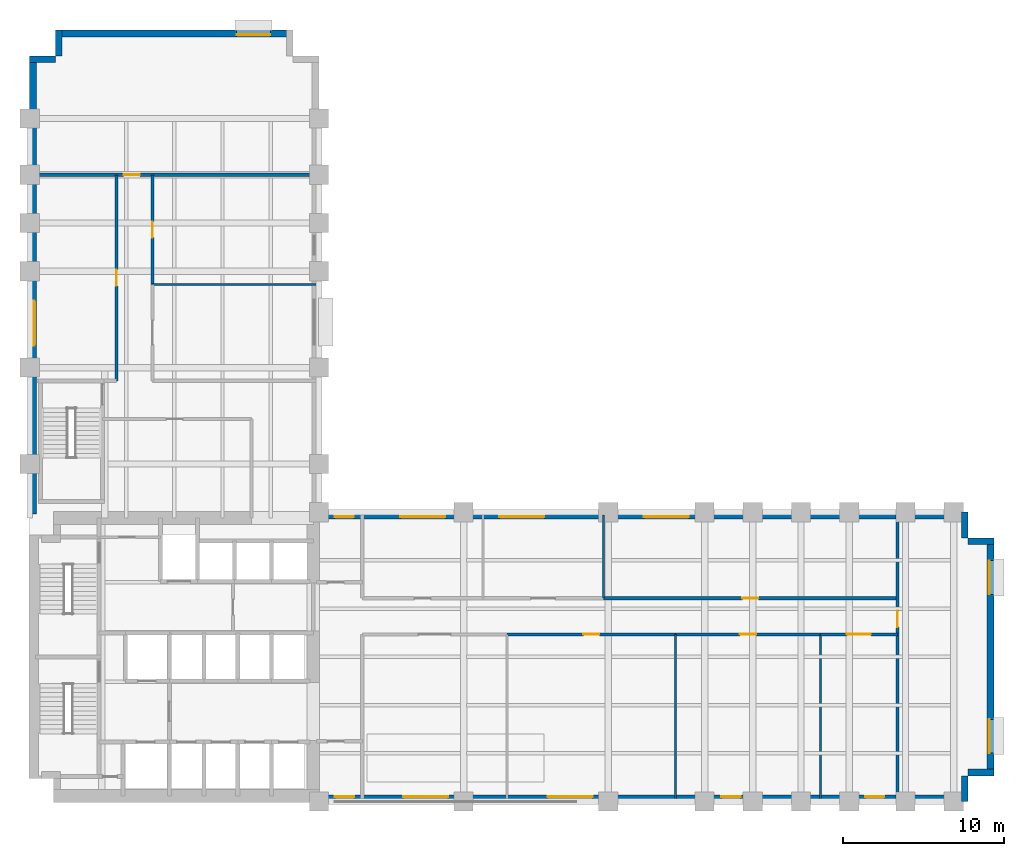
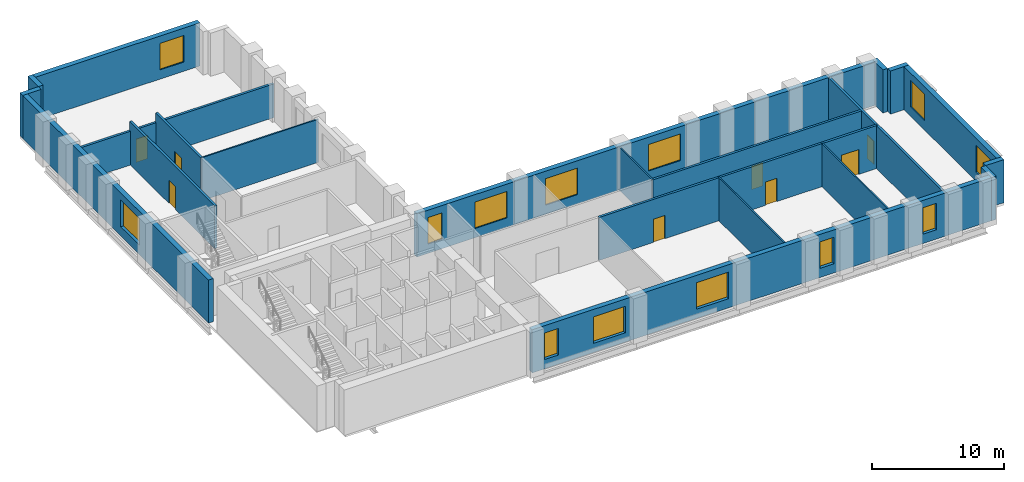
# One storey, part 5 of 8: 23 walls, 13 windows, 8 doors, 21 openings.
"""IFC4 building model written with IfcOpenShell, lengths in metres."""

from ifc_helpers import new_model, si_unit, direction, frame, frame_2d, origin, place, context, subcontext, project, spatial, rectangle, extrude, material, layer, layer_set, type_object, element, fill, save


model = new_model("IFC4")

# Units and contexts
model_context = context("Model", 3, precision=1e-05, world=origin(), true_north=direction((0.0, 1.0)))
body_context = subcontext(model_context, "Body", "Model", "MODEL_VIEW")
ifc_project = project(units=[si_unit("LENGTHUNIT", "METRE"), si_unit("AREAUNIT", "SQUARE_METRE"), si_unit("VOLUMEUNIT", "CUBIC_METRE"), si_unit("PLANEANGLEUNIT", "RADIAN"), si_unit("MASSUNIT", "GRAM", prefix="KILO")], contexts=[model_context])

# Site, building, storey
site_placement = place(None, origin())
site = spatial("IfcSite", under=ifc_project, at=site_placement, CompositionType="ELEMENT")
building_placement = place(site_placement, origin())
building = spatial("IfcBuilding", under=site, at=building_placement, Name="Mawjdan Bourse Tower", CompositionType="ELEMENT")
storey_placement = place(building_placement, frame((0.0, 0.0, 38.39990234375)))
storey = spatial("IfcBuildingStorey", under=building, at=storey_placement, Name="L08", CompositionType="ELEMENT", Elevation=38.39990234375)

# Wall, openings, windows
ifc_material_1 = material(Name="Brick Masonry Buff", Category="masonry")
ifc_layer_1 = layer(ifc_material_1, 0.419921875)
ifc_layer_set_1 = layer_set([ifc_layer_1], Name="Brick Masonry Buff")
wall_type_1 = type_object("IfcWallType", Name="WL-BRK-BUFF-420", PredefinedType="STANDARD", material=ifc_layer_set_1)
wall_1_placement = place(storey_placement, frame((23.89990234375, 3.2099609375, 0.0), z_axis=(0.0, 0.0, 1.0), x_axis=(1.0, 0.0, 0.0)))
wall_1 = element("IfcWall", 1, at=wall_1_placement, inside=storey, type_object=wall_type_1, Name="L08 Exterior Brick Wall 1", PredefinedType="STANDARD", context=body_context, shape_type="SweptSolid", body=[
    extrude(rectangle(XDim=40.5, YDim=0.419921875, at=frame_2d((20.25, 0.0))), origin(), (0.0, 0.0, 1.0), 3.97998046875),
])
opening_1_placement = place(wall_1_placement, frame((1.10009765625, 0.0, 0.85009765625)))
opening_1 = element("IfcOpeningElement", 2, at=opening_1_placement, cuts=wall_1, Name="Opening W-L08-07", PredefinedType="OPENING", context=body_context, shape_type="SweptSolid", body=[
    extrude(rectangle(XDim=1.199951171875, YDim=2.449951171875, at=frame_2d((0.60009765625, 1.22509765625))), frame((0.0, 0.219970703125, 0.0), z_axis=(0.0, -1.0, 0.0), x_axis=(1.0, 0.0, 0.0)), (0.0, 0.0, 1.0), 0.43994140625),
])
opening_2_placement = place(wall_1_placement, frame((5.336181640625, 0.0, 0.85009765625)))
opening_2 = element("IfcOpeningElement", 3, at=opening_2_placement, cuts=wall_1, Name="Opening W-L08-09", PredefinedType="OPENING", context=body_context, shape_type="SweptSolid", body=[
    extrude(rectangle(XDim=2.800048828125, YDim=2.449951171875, at=frame_2d((1.39990234375, 1.22509765625))), frame((0.0, 0.219970703125, 0.0), z_axis=(0.0, -1.0, 0.0), x_axis=(1.0, 0.0, 0.0)), (0.0, 0.0, 1.0), 0.43994140625),
])
opening_3_placement = place(wall_1_placement, frame((14.336181640625, 0.0, 0.85009765625)))
opening_3 = element("IfcOpeningElement", 4, at=opening_3_placement, cuts=wall_1, Name="Opening W-L08-10", PredefinedType="OPENING", context=body_context, shape_type="SweptSolid", body=[
    extrude(rectangle(XDim=2.800048828125, YDim=2.449951171875, at=frame_2d((1.39990234375, 1.22509765625))), frame((0.0, 0.219970703125, 0.0), z_axis=(0.0, -1.0, 0.0), x_axis=(1.0, 0.0, 0.0)), (0.0, 0.0, 1.0), 0.43994140625),
])
opening_4_placement = place(wall_1_placement, frame((25.13623046875, 0.0, 0.85009765625)))
opening_4 = element("IfcOpeningElement", 5, at=opening_4_placement, cuts=wall_1, Name="Opening W-L08-11", PredefinedType="OPENING", context=body_context, shape_type="SweptSolid", body=[
    extrude(rectangle(XDim=1.199951171875, YDim=2.449951171875, at=frame_2d((0.60009765625, 1.22509765625))), frame((0.0, 0.219970703125, 0.0), z_axis=(0.0, -1.0, 0.0), x_axis=(1.0, 0.0, 0.0)), (0.0, 0.0, 1.0), 0.43994140625),
])
opening_5_placement = place(wall_1_placement, frame((34.086181640625, 0.0, 0.85009765625)))
opening_5 = element("IfcOpeningElement", 6, at=opening_5_placement, cuts=wall_1, Name="Opening W-L08-12", PredefinedType="OPENING", context=body_context, shape_type="SweptSolid", body=[
    extrude(rectangle(XDim=1.199951171875, YDim=2.449951171875, at=frame_2d((0.60009765625, 1.22509765625))), frame((0.0, 0.219970703125, 0.0), z_axis=(0.0, -1.0, 0.0), x_axis=(1.0, 0.0, 0.0)), (0.0, 0.0, 1.0), 0.43994140625),
])
ifc_material_2 = material(Name="Solar-Control Clear Double Glazing", Category="glass")
window_type_1 = type_object("IfcWindowType", Name="WN-TRD-1200", PartitioningType="SINGLE_PANEL", PredefinedType="WINDOW", material=ifc_material_2)
window_1_placement = place(opening_1_placement, origin())
window_1 = element("IfcWindow", 7, at=window_1_placement, inside=storey, type_object=window_type_1, Name="L08 Deep-Set Masonry Window W-L08-07", OverallHeight=2.449951171875, OverallWidth=1.199951171875, PartitioningType="SINGLE_PANEL", PredefinedType="WINDOW", context=body_context, shape_type="SweptSolid", body=[
    extrude(rectangle(XDim=1.199951171875, YDim=2.449951171875, at=frame_2d((0.60009765625, 1.22509765625))), frame((0.0, 0.110107421875, 0.0), z_axis=(0.0, -1.0, 0.0), x_axis=(1.0, 0.0, 0.0)), (0.0, 0.0, 1.0), 0.06005859375),
])
fill(opening_1, window_1)
window_2_placement = place(opening_4_placement, origin())
window_2 = element("IfcWindow", 8, at=window_2_placement, inside=storey, type_object=window_type_1, Name="L08 Deep-Set Masonry Window W-L08-11", OverallHeight=2.449951171875, OverallWidth=1.199951171875, PartitioningType="SINGLE_PANEL", PredefinedType="WINDOW", context=body_context, shape_type="SweptSolid", body=[
    extrude(rectangle(XDim=1.199951171875, YDim=2.449951171875, at=frame_2d((0.60009765625, 1.22509765625))), frame((0.0, 0.110107421875, 0.0), z_axis=(0.0, -1.0, 0.0), x_axis=(1.0, 0.0, 0.0)), (0.0, 0.0, 1.0), 0.06005859375),
])
fill(opening_4, window_2)
window_3_placement = place(opening_5_placement, origin())
window_3 = element("IfcWindow", 9, at=window_3_placement, inside=storey, type_object=window_type_1, Name="L08 Deep-Set Masonry Window W-L08-12", OverallHeight=2.449951171875, OverallWidth=1.199951171875, PartitioningType="SINGLE_PANEL", PredefinedType="WINDOW", context=body_context, shape_type="SweptSolid", body=[
    extrude(rectangle(XDim=1.199951171875, YDim=2.449951171875, at=frame_2d((0.60009765625, 1.22509765625))), frame((0.0, 0.110107421875, 0.0), z_axis=(0.0, -1.0, 0.0), x_axis=(1.0, 0.0, 0.0)), (0.0, 0.0, 1.0), 0.06005859375),
])
fill(opening_5, window_3)
window_type_2 = type_object("IfcWindowType", Name="WN-TRD-2800", PartitioningType="SINGLE_PANEL", PredefinedType="WINDOW", material=ifc_material_2)
window_4_placement = place(opening_2_placement, origin())
window_4 = element("IfcWindow", 10, at=window_4_placement, inside=storey, type_object=window_type_2, Name="L08 Deep-Set Masonry Window W-L08-09", OverallHeight=2.449951171875, OverallWidth=2.800048828125, PartitioningType="SINGLE_PANEL", PredefinedType="WINDOW", context=body_context, shape_type="SweptSolid", body=[
    extrude(rectangle(XDim=2.800048828125, YDim=2.449951171875, at=frame_2d((1.39990234375, 1.22509765625))), frame((0.0, 0.110107421875, 0.0), z_axis=(0.0, -1.0, 0.0), x_axis=(1.0, 0.0, 0.0)), (0.0, 0.0, 1.0), 0.06005859375),
])
fill(opening_2, window_4)
window_5_placement = place(opening_3_placement, origin())
window_5 = element("IfcWindow", 11, at=window_5_placement, inside=storey, type_object=window_type_2, Name="L08 Deep-Set Masonry Window W-L08-10", OverallHeight=2.449951171875, OverallWidth=2.800048828125, PartitioningType="SINGLE_PANEL", PredefinedType="WINDOW", context=body_context, shape_type="SweptSolid", body=[
    extrude(rectangle(XDim=2.800048828125, YDim=2.449951171875, at=frame_2d((1.39990234375, 1.22509765625))), frame((0.0, 0.110107421875, 0.0), z_axis=(0.0, -1.0, 0.0), x_axis=(1.0, 0.0, 0.0)), (0.0, 0.0, 1.0), 0.06005859375),
])
fill(opening_3, window_5)

# Walls
for number, where, z_axis, x_axis, name in (
    (12, (64.18994140625, 3.0, 0.0), (0.0, 0.0, 1.0), (0.0, 1.0, 0.0), "L08 Exterior Brick Wall 2"),
    (13, (64.39990234375, 4.81005859375, 0.0), (0.0, 0.0, 1.0), (1.0, 0.0, 0.0), "L08 Exterior Brick Wall 3"),
):
    element("IfcWall", number, at=place(storey_placement, frame(where, z_axis=z_axis, x_axis=x_axis)), inside=storey, type_object=wall_type_1, Name=name, PredefinedType="STANDARD", context=body_context, shape_type="SweptSolid", body=[
        extrude(rectangle(XDim=1.60009765625, YDim=0.419921875, at=frame_2d((0.800048828125, 0.0))), origin(), (0.0, 0.0, 1.0), 3.97998046875),
    ])

# Wall, openings, windows
wall_2_placement = place(storey_placement, frame((65.7900390625, 4.60009765625, 0.0), z_axis=(0.0, 0.0, 1.0), x_axis=(0.0, 1.0, 0.0)))
wall_2 = element("IfcWall", 14, at=wall_2_placement, inside=storey, type_object=wall_type_1, Name="L08 Exterior Brick Wall 4", PredefinedType="STANDARD", context=body_context, shape_type="SweptSolid", body=[
    extrude(rectangle(XDim=14.7998046875, YDim=0.419921875, at=frame_2d((7.39990234375, 0.0))), origin(), (0.0, 0.0, 1.0), 3.97998046875),
])
opening_6_placement = place(wall_2_placement, frame((1.416748046875, 0.0, 0.85009765625)))
opening_6 = element("IfcOpeningElement", 15, at=opening_6_placement, cuts=wall_2, Name="Opening W-L08-01", PredefinedType="OPENING", context=body_context, shape_type="SweptSolid", body=[
    extrude(rectangle(XDim=2.10009765625, YDim=2.449951171875, at=frame_2d((1.050048828125, 1.22509765625))), frame((0.0, 0.219970703125, 0.0), z_axis=(0.0, -1.0, 0.0), x_axis=(1.0, 0.0, 0.0)), (0.0, 0.0, 1.0), 0.43994140625),
])
opening_7_placement = place(wall_2_placement, frame((11.283203125, 0.0, 0.85009765625)))
opening_7 = element("IfcOpeningElement", 16, at=opening_7_placement, cuts=wall_2, Name="Opening W-L08-02", PredefinedType="OPENING", context=body_context, shape_type="SweptSolid", body=[
    extrude(rectangle(XDim=2.10009765625, YDim=2.449951171875, at=frame_2d((1.050048828125, 1.22509765625))), frame((0.0, 0.219970703125, 0.0), z_axis=(0.0, -1.0, 0.0), x_axis=(1.0, 0.0, 0.0)), (0.0, 0.0, 1.0), 0.43994140625),
])
window_type_3 = type_object("IfcWindowType", Name="WN-TRD-2100", PartitioningType="SINGLE_PANEL", PredefinedType="WINDOW", material=ifc_material_2)
window_6_placement = place(opening_6_placement, origin())
window_6 = element("IfcWindow", 17, at=window_6_placement, inside=storey, type_object=window_type_3, Name="L08 Deep-Set Masonry Window W-L08-01", OverallHeight=2.449951171875, OverallWidth=2.10009765625, PartitioningType="SINGLE_PANEL", PredefinedType="WINDOW", context=body_context, shape_type="SweptSolid", body=[
    extrude(rectangle(XDim=2.10009765625, YDim=2.449951171875, at=frame_2d((1.050048828125, 1.22509765625))), frame((0.0, 0.110107421875, 0.0), z_axis=(0.0, -1.0, 0.0), x_axis=(1.0, 0.0, 0.0)), (0.0, 0.0, 1.0), 0.06005859375),
])
fill(opening_6, window_6)
window_7_placement = place(opening_7_placement, origin())
window_7 = element("IfcWindow", 18, at=window_7_placement, inside=storey, type_object=window_type_3, Name="L08 Deep-Set Masonry Window W-L08-02", OverallHeight=2.449951171875, OverallWidth=2.10009765625, PartitioningType="SINGLE_PANEL", PredefinedType="WINDOW", context=body_context, shape_type="SweptSolid", body=[
    extrude(rectangle(XDim=2.10009765625, YDim=2.449951171875, at=frame_2d((1.050048828125, 1.22509765625))), frame((0.0, 0.110107421875, 0.0), z_axis=(0.0, -1.0, 0.0), x_axis=(1.0, 0.0, 0.0)), (0.0, 0.0, 1.0), 0.06005859375),
])
fill(opening_7, window_7)

# Walls
for number, where, z_axis, x_axis, name in (
    (19, (66.0, 19.18994140625, 0.0), (0.0, 0.0, 1.0), (-1.0, 0.0, 0.0), "L08 Exterior Brick Wall 5"),
    (20, (64.18994140625, 19.39990234375, 0.0), (0.0, 0.0, 1.0), (0.0, 1.0, 0.0), "L08 Exterior Brick Wall 6"),
):
    element("IfcWall", number, at=place(storey_placement, frame(where, z_axis=z_axis, x_axis=x_axis)), inside=storey, type_object=wall_type_1, Name=name, PredefinedType="STANDARD", context=body_context, shape_type="SweptSolid", body=[
        extrude(rectangle(XDim=1.60009765625, YDim=0.419921875, at=frame_2d((0.800048828125, 0.0))), origin(), (0.0, 0.0, 1.0), 3.97998046875),
    ])

# Wall, openings, windows
wall_3_placement = place(storey_placement, frame((64.39990234375, 20.7900390625, 0.0), z_axis=(0.0, 0.0, 1.0), x_axis=(-1.0, 0.0, 0.0)))
wall_3 = element("IfcWall", 21, at=wall_3_placement, inside=storey, type_object=wall_type_1, Name="L08 Exterior Brick Wall 7", PredefinedType="STANDARD", context=body_context, shape_type="SweptSolid", body=[
    extrude(rectangle(XDim=40.39990234375, YDim=0.419921875, at=frame_2d((20.199951171875, 0.0))), origin(), (0.0, 0.0, 1.0), 3.97998046875),
])
opening_8_placement = place(wall_3_placement, frame((26.375, 0.0, 0.85009765625)))
opening_8 = element("IfcOpeningElement", 22, at=opening_8_placement, cuts=wall_3, Name="Opening W-L08-03", PredefinedType="OPENING", context=body_context, shape_type="SweptSolid", body=[
    extrude(rectangle(XDim=2.800048828125, YDim=2.449951171875, at=frame_2d((1.39990234375, 1.22509765625))), frame((0.0, 0.219970703125, 0.0), z_axis=(0.0, -1.0, 0.0), x_axis=(1.0, 0.0, 0.0)), (0.0, 0.0, 1.0), 0.43994140625),
])
opening_9_placement = place(wall_3_placement, frame((38.22216796875, 0.0, 0.85009765625)))
opening_9 = element("IfcOpeningElement", 23, at=opening_9_placement, cuts=wall_3, Name="Opening W-L08-08", PredefinedType="OPENING", context=body_context, shape_type="SweptSolid", body=[
    extrude(rectangle(XDim=1.199951171875, YDim=2.449951171875, at=frame_2d((0.60009765625, 1.22509765625))), frame((0.0, 0.219970703125, 0.0), z_axis=(0.0, -1.0, 0.0), x_axis=(1.0, 0.0, 0.0)), (0.0, 0.0, 1.0), 0.43994140625),
])
opening_10_placement = place(wall_3_placement, frame((32.5361328125, 0.0, 0.85009765625)))
opening_10 = element("IfcOpeningElement", 24, at=opening_10_placement, cuts=wall_3, Name="Opening W-L08-13", PredefinedType="OPENING", context=body_context, shape_type="SweptSolid", body=[
    extrude(rectangle(XDim=2.800048828125, YDim=2.449951171875, at=frame_2d((1.39990234375, 1.22509765625))), frame((0.0, 0.219970703125, 0.0), z_axis=(0.0, -1.0, 0.0), x_axis=(1.0, 0.0, 0.0)), (0.0, 0.0, 1.0), 0.43994140625),
])
opening_11_placement = place(wall_3_placement, frame((17.38623046875, 0.0, 0.85009765625)))
opening_11 = element("IfcOpeningElement", 25, at=opening_11_placement, cuts=wall_3, Name="Opening W-L08-14", PredefinedType="OPENING", context=body_context, shape_type="SweptSolid", body=[
    extrude(rectangle(XDim=2.800048828125, YDim=2.449951171875, at=frame_2d((1.39990234375, 1.22509765625))), frame((0.0, 0.219970703125, 0.0), z_axis=(0.0, -1.0, 0.0), x_axis=(1.0, 0.0, 0.0)), (0.0, 0.0, 1.0), 0.43994140625),
])
window_8_placement = place(opening_9_placement, origin())
window_8 = element("IfcWindow", 26, at=window_8_placement, inside=storey, type_object=window_type_1, Name="L08 Deep-Set Masonry Window W-L08-08", OverallHeight=2.449951171875, OverallWidth=1.199951171875, PartitioningType="SINGLE_PANEL", PredefinedType="WINDOW", context=body_context, shape_type="SweptSolid", body=[
    extrude(rectangle(XDim=1.199951171875, YDim=2.449951171875, at=frame_2d((0.60009765625, 1.22509765625))), frame((0.0, 0.110107421875, 0.0), z_axis=(0.0, -1.0, 0.0), x_axis=(1.0, 0.0, 0.0)), (0.0, 0.0, 1.0), 0.06005859375),
])
fill(opening_9, window_8)
window_9_placement = place(opening_8_placement, origin())
window_9 = element("IfcWindow", 27, at=window_9_placement, inside=storey, type_object=window_type_2, Name="L08 Deep-Set Masonry Window W-L08-03", OverallHeight=2.449951171875, OverallWidth=2.800048828125, PartitioningType="SINGLE_PANEL", PredefinedType="WINDOW", context=body_context, shape_type="SweptSolid", body=[
    extrude(rectangle(XDim=2.800048828125, YDim=2.449951171875, at=frame_2d((1.39990234375, 1.22509765625))), frame((0.0, 0.110107421875, 0.0), z_axis=(0.0, -1.0, 0.0), x_axis=(1.0, 0.0, 0.0)), (0.0, 0.0, 1.0), 0.06005859375),
])
fill(opening_8, window_9)
window_10_placement = place(opening_10_placement, origin())
window_10 = element("IfcWindow", 28, at=window_10_placement, inside=storey, type_object=window_type_2, Name="L08 Deep-Set Masonry Window W-L08-13", OverallHeight=2.449951171875, OverallWidth=2.800048828125, PartitioningType="SINGLE_PANEL", PredefinedType="WINDOW", context=body_context, shape_type="SweptSolid", body=[
    extrude(rectangle(XDim=2.800048828125, YDim=2.449951171875, at=frame_2d((1.39990234375, 1.22509765625))), frame((0.0, 0.110107421875, 0.0), z_axis=(0.0, -1.0, 0.0), x_axis=(1.0, 0.0, 0.0)), (0.0, 0.0, 1.0), 0.06005859375),
])
fill(opening_10, window_10)
window_11_placement = place(opening_11_placement, origin())
window_11 = element("IfcWindow", 29, at=window_11_placement, inside=storey, type_object=window_type_2, Name="L08 Deep-Set Masonry Window W-L08-14", OverallHeight=2.449951171875, OverallWidth=2.800048828125, PartitioningType="SINGLE_PANEL", PredefinedType="WINDOW", context=body_context, shape_type="SweptSolid", body=[
    extrude(rectangle(XDim=2.800048828125, YDim=2.449951171875, at=frame_2d((1.39990234375, 1.22509765625))), frame((0.0, 0.110107421875, 0.0), z_axis=(0.0, -1.0, 0.0), x_axis=(1.0, 0.0, 0.0)), (0.0, 0.0, 1.0), 0.06005859375),
])
fill(opening_11, window_11)

# Wall, opening, window
wall_4_placement = place(storey_placement, frame((22.39990234375, 50.7900390625, 0.0), z_axis=(0.0, 0.0, 1.0), x_axis=(-1.0, 0.0, 0.0)))
wall_4 = element("IfcWall", 30, at=wall_4_placement, inside=storey, type_object=wall_type_1, Name="L08 Exterior Brick Wall 11", PredefinedType="STANDARD", context=body_context, shape_type="SweptSolid", body=[
    extrude(rectangle(XDim=14.7998046875, YDim=0.419921875, at=frame_2d((7.39990234375, 0.0))), origin(), (0.0, 0.0, 1.0), 3.97998046875),
])
opening_12_placement = place(wall_4_placement, frame((1.416748046875, 0.0, 0.85009765625)))
opening_12 = element("IfcOpeningElement", 31, at=opening_12_placement, cuts=wall_4, Name="Opening W-L08-05", PredefinedType="OPENING", context=body_context, shape_type="SweptSolid", body=[
    extrude(rectangle(XDim=2.10009765625, YDim=2.449951171875, at=frame_2d((1.050048828125, 1.22509765625))), frame((0.0, 0.219970703125, 0.0), z_axis=(0.0, -1.0, 0.0), x_axis=(1.0, 0.0, 0.0)), (0.0, 0.0, 1.0), 0.43994140625),
])
window_12_placement = place(opening_12_placement, origin())
window_12 = element("IfcWindow", 32, at=window_12_placement, inside=storey, type_object=window_type_3, Name="L08 Deep-Set Masonry Window W-L08-05", OverallHeight=2.449951171875, OverallWidth=2.10009765625, PartitioningType="SINGLE_PANEL", PredefinedType="WINDOW", context=body_context, shape_type="SweptSolid", body=[
    extrude(rectangle(XDim=2.10009765625, YDim=2.449951171875, at=frame_2d((1.050048828125, 1.22509765625))), frame((0.0, 0.110107421875, 0.0), z_axis=(0.0, -1.0, 0.0), x_axis=(1.0, 0.0, 0.0)), (0.0, 0.0, 1.0), 0.06005859375),
])
fill(opening_12, window_12)

# Walls
for number, where, z_axis, x_axis, name in (
    (33, (7.81005859375, 51.0, 0.0), (0.0, 0.0, 1.0), (0.0, -1.0, 0.0), "L08 Exterior Brick Wall 12"),
    (34, (7.60009765625, 49.18994140625, 0.0), (0.0, 0.0, 1.0), (-1.0, 0.0, 0.0), "L08 Exterior Brick Wall 13"),
):
    element("IfcWall", number, at=place(storey_placement, frame(where, z_axis=z_axis, x_axis=x_axis)), inside=storey, type_object=wall_type_1, Name=name, PredefinedType="STANDARD", context=body_context, shape_type="SweptSolid", body=[
        extrude(rectangle(XDim=1.60009765625, YDim=0.419921875, at=frame_2d((0.800048828125, 0.0))), origin(), (0.0, 0.0, 1.0), 3.97998046875),
    ])

# Wall, opening, window
wall_5_placement = place(storey_placement, frame((6.2099609375, 49.39990234375, 0.0), z_axis=(0.0, 0.0, 1.0), x_axis=(0.0, -1.0, 0.0)))
wall_5 = element("IfcWall", 35, at=wall_5_placement, inside=storey, type_object=wall_type_1, Name="L08 Exterior Brick Wall 14", PredefinedType="STANDARD", context=body_context, shape_type="SweptSolid", body=[
    extrude(rectangle(XDim=28.5, YDim=0.419921875, at=frame_2d((14.25, 0.0))), origin(), (0.0, 0.0, 1.0), 3.97998046875),
])
opening_13_placement = place(wall_5_placement, frame((15.22509765625, 0.0, 0.85009765625)))
opening_13 = element("IfcOpeningElement", 36, at=opening_13_placement, cuts=wall_5, Name="Opening W-L08-06", PredefinedType="OPENING", context=body_context, shape_type="SweptSolid", body=[
    extrude(rectangle(XDim=2.800048828125, YDim=2.449951171875, at=frame_2d((1.39990234375, 1.22509765625))), frame((0.0, 0.219970703125, 0.0), z_axis=(0.0, -1.0, 0.0), x_axis=(1.0, 0.0, 0.0)), (0.0, 0.0, 1.0), 0.43994140625),
])
window_13_placement = place(opening_13_placement, origin())
window_13 = element("IfcWindow", 37, at=window_13_placement, inside=storey, type_object=window_type_2, Name="L08 Deep-Set Masonry Window W-L08-06", OverallHeight=2.449951171875, OverallWidth=2.800048828125, PartitioningType="SINGLE_PANEL", PredefinedType="WINDOW", context=body_context, shape_type="SweptSolid", body=[
    extrude(rectangle(XDim=2.800048828125, YDim=2.449951171875, at=frame_2d((1.39990234375, 1.22509765625))), frame((0.0, 0.110107421875, 0.0), z_axis=(0.0, -1.0, 0.0), x_axis=(1.0, 0.0, 0.0)), (0.0, 0.0, 1.0), 0.06005859375),
])
fill(opening_13, window_13)

# Wall, opening, door
ifc_material_3 = material(Name="Gypsum Fireboard Assembly")
ifc_layer_2 = layer(ifc_material_3, 0.199951171875)
ifc_layer_set_2 = layer_set([ifc_layer_2], Name="Gypsum Fireboard Assembly")
wall_type_2 = type_object("IfcWallType", Name="WL-CMP-200", PredefinedType="PARTITIONING", material=ifc_layer_set_2)
wall_6_placement = place(storey_placement, frame((35.699951171875, 13.39990234375, 0.0), z_axis=(0.0, 0.0, 1.0), x_axis=(1.0, 0.0, 0.0)))
wall_6 = element("IfcWall", 38, at=wall_6_placement, inside=storey, type_object=wall_type_2, Name="L08 Equities Research Library Corridor Wall", PredefinedType="PARTITIONING", context=body_context, shape_type="SweptSolid", body=[
    extrude(rectangle(XDim=10.5, YDim=0.199951171875, at=frame_2d((5.25, 0.0))), origin(), (0.0, 0.0, 1.0), 3.97021484375),
])
opening_14_placement = place(wall_6_placement, frame((4.75, 0.0, 0.0)))
opening_14 = element("IfcOpeningElement", 39, at=opening_14_placement, cuts=wall_6, Name="Opening D-L08-20", PredefinedType="OPENING", context=body_context, shape_type="SweptSolid", body=[
    extrude(rectangle(XDim=1.0, YDim=2.14990234375, at=frame_2d((0.5, 1.074951171875))), frame((0.0, 0.10986328125, 0.0), z_axis=(0.0, -1.0, 0.0), x_axis=(1.0, 0.0, 0.0)), (0.0, 0.0, 1.0), 0.219970703125),
])
ifc_material_4 = material(Name="Hardwood Acoustic Leaf", Category="wood")
door_type_1 = type_object("IfcDoorType", Name="DR-OFC-1000", OperationType="NOTDEFINED", PredefinedType="DOOR", material=ifc_material_4)
door_1_placement = place(opening_14_placement, origin())
door_1 = element("IfcDoor", 40, at=door_1_placement, inside=storey, type_object=door_type_1, Name="L08 Equities Research Library Door D-L08-20", OperationType="SINGLE_SWING_RIGHT", OverallHeight=2.14990234375, OverallWidth=1.0, PredefinedType="DOOR", context=body_context, shape_type="SweptSolid", body=[
    extrude(rectangle(XDim=1.0, YDim=2.14990234375, at=frame_2d((0.5, 1.074951171875))), frame((0.0, 0.02490234375, 0.0), z_axis=(0.0, -1.0, 0.0), x_axis=(1.0, 0.0, 0.0)), (0.0, 0.0, 1.0), 0.050048828125),
])
fill(opening_14, door_1)

wall_7_placement = place(storey_placement, frame((46.199951171875, 13.39990234375, 0.0), z_axis=(0.0, 0.0, 1.0), x_axis=(1.0, 0.0, 0.0)))
wall_7 = element("IfcWall", 41, at=wall_7_placement, inside=storey, type_object=wall_type_2, Name="L08 Brokerage Suite Corridor Wall", PredefinedType="PARTITIONING", context=body_context, shape_type="SweptSolid", body=[
    extrude(rectangle(XDim=9.0, YDim=0.199951171875, at=frame_2d((4.5, 0.0))), origin(), (0.0, 0.0, 1.0), 3.97021484375),
])
opening_15_placement = place(wall_7_placement, frame((4.0, 0.0, 0.0)))
opening_15 = element("IfcOpeningElement", 42, at=opening_15_placement, cuts=wall_7, Name="Opening D-L08-21", PredefinedType="OPENING", context=body_context, shape_type="SweptSolid", body=[
    extrude(rectangle(XDim=1.0, YDim=2.14990234375, at=frame_2d((0.5, 1.074951171875))), frame((0.0, 0.10986328125, 0.0), z_axis=(0.0, -1.0, 0.0), x_axis=(1.0, 0.0, 0.0)), (0.0, 0.0, 1.0), 0.219970703125),
])
door_2_placement = place(opening_15_placement, origin())
door_2 = element("IfcDoor", 43, at=door_2_placement, inside=storey, type_object=door_type_1, Name="L08 Brokerage Suite Door D-L08-21", OperationType="SINGLE_SWING_LEFT", OverallHeight=2.14990234375, OverallWidth=1.0, PredefinedType="DOOR", context=body_context, shape_type="SweptSolid", body=[
    extrude(rectangle(XDim=1.0, YDim=2.14990234375, at=frame_2d((0.5, 1.074951171875))), frame((0.0, 0.02490234375, 0.0), z_axis=(0.0, -1.0, 0.0), x_axis=(1.0, 0.0, 0.0)), (0.0, 0.0, 1.0), 0.050048828125),
])
fill(opening_15, door_2)

wall_8_placement = place(storey_placement, frame((55.199951171875, 13.39990234375, 0.0), z_axis=(0.0, 0.0, 1.0), x_axis=(1.0, 0.0, 0.0)))
wall_8 = element("IfcWall", 44, at=wall_8_placement, inside=storey, type_object=wall_type_2, Name="L08 Conference Room Corridor Wall", PredefinedType="PARTITIONING", context=body_context, shape_type="SweptSolid", body=[
    extrude(rectangle(XDim=4.800048828125, YDim=0.199951171875, at=frame_2d((2.39990234375, 0.0))), origin(), (0.0, 0.0, 1.0), 3.97021484375),
])
opening_16_placement = place(wall_8_placement, frame((1.64990234375, 0.0, 0.0)))
opening_16 = element("IfcOpeningElement", 45, at=opening_16_placement, cuts=wall_8, Name="Opening D-L08-22", PredefinedType="OPENING", context=body_context, shape_type="SweptSolid", body=[
    extrude(rectangle(XDim=1.5, YDim=2.300048828125, at=frame_2d((0.75, 1.14990234375))), frame((0.0, 0.10986328125, 0.0), z_axis=(0.0, -1.0, 0.0), x_axis=(1.0, 0.0, 0.0)), (0.0, 0.0, 1.0), 0.219970703125),
])
ifc_material_5 = material(Name="Acoustic Glazed Timber", Category="wood")
door_type_2 = type_object("IfcDoorType", Name="DR-CNF-1500", OperationType="DOUBLE_DOOR_SINGLE_SWING", PredefinedType="DOOR", material=ifc_material_5)
door_3_placement = place(opening_16_placement, origin())
door_3 = element("IfcDoor", 46, at=door_3_placement, inside=storey, type_object=door_type_2, Name="L08 Conference Room Door D-L08-22", OperationType="DOUBLE_DOOR_SINGLE_SWING", OverallHeight=2.300048828125, OverallWidth=1.5, PredefinedType="DOOR", context=body_context, shape_type="SweptSolid", body=[
    extrude(rectangle(XDim=1.5, YDim=2.300048828125, at=frame_2d((0.75, 1.14990234375))), frame((0.0, 0.02490234375, 0.0), z_axis=(0.0, -1.0, 0.0), x_axis=(1.0, 0.0, 0.0)), (0.0, 0.0, 1.0), 0.050048828125),
])
fill(opening_16, door_3)

wall_9_placement = place(storey_placement, frame((41.699951171875, 15.64990234375, 0.0), z_axis=(0.0, 0.0, 1.0), x_axis=(1.0, 0.0, 0.0)))
wall_9 = element("IfcWall", 47, at=wall_9_placement, inside=storey, type_object=wall_type_2, Name="L08 Executive Office Corridor Wall", PredefinedType="PARTITIONING", context=body_context, shape_type="SweptSolid", body=[
    extrude(rectangle(XDim=18.300048828125, YDim=0.199951171875, at=frame_2d((9.14990234375, 0.0))), origin(), (0.0, 0.0, 1.0), 3.97021484375),
])
opening_17_placement = place(wall_9_placement, frame((8.64990234375, 0.0, 0.0)))
opening_17 = element("IfcOpeningElement", 48, at=opening_17_placement, cuts=wall_9, Name="Opening D-L08-25", PredefinedType="OPENING", context=body_context, shape_type="SweptSolid", body=[
    extrude(rectangle(XDim=1.0, YDim=2.14990234375, at=frame_2d((0.5, 1.074951171875))), frame((0.0, 0.10986328125, 0.0), z_axis=(0.0, -1.0, 0.0), x_axis=(1.0, 0.0, 0.0)), (0.0, 0.0, 1.0), 0.219970703125),
])
door_4_placement = place(opening_17_placement, origin())
door_4 = element("IfcDoor", 49, at=door_4_placement, inside=storey, type_object=door_type_1, Name="L08 Executive Office Door D-L08-25", OperationType="SINGLE_SWING_LEFT", OverallHeight=2.14990234375, OverallWidth=1.0, PredefinedType="DOOR", context=body_context, shape_type="SweptSolid", body=[
    extrude(rectangle(XDim=1.0, YDim=2.14990234375, at=frame_2d((0.5, 1.074951171875))), frame((0.0, 0.02490234375, 0.0), z_axis=(0.0, -1.0, 0.0), x_axis=(1.0, 0.0, 0.0)), (0.0, 0.0, 1.0), 0.050048828125),
])
fill(opening_17, door_4)

wall_10_placement = place(storey_placement, frame((60.0, 3.179931640625, 0.0), z_axis=(0.0, 0.0, 1.0), x_axis=(0.0, 1.0, 0.0)))
wall_10 = element("IfcWall", 50, at=wall_10_placement, inside=storey, type_object=wall_type_2, Name="L08 East Tip Full Cross Wall", PredefinedType="PARTITIONING", context=body_context, shape_type="SweptSolid", body=[
    extrude(rectangle(XDim=17.64013671875, YDim=0.199951171875, at=frame_2d((8.820068359375, 0.0))), origin(), (0.0, 0.0, 1.0), 3.97021484375),
])
opening_18_placement = place(wall_10_placement, frame((10.675048828125, 0.0, 0.0)))
opening_18 = element("IfcOpeningElement", 51, at=opening_18_placement, cuts=wall_10, Name="Opening D-L08-26", PredefinedType="OPENING", context=body_context, shape_type="SweptSolid", body=[
    extrude(rectangle(XDim=1.0, YDim=2.14990234375, at=frame_2d((0.5, 1.074951171875))), frame((0.0, 0.10986328125, 0.0), z_axis=(0.0, -1.0, 0.0), x_axis=(1.0, 0.0, 0.0)), (0.0, 0.0, 1.0), 0.219970703125),
])
door_5_placement = place(opening_18_placement, origin())
door_5 = element("IfcDoor", 52, at=door_5_placement, inside=storey, type_object=door_type_1, Name="L08 East Tip Hall Door D-L08-26", OperationType="SINGLE_SWING_RIGHT", OverallHeight=2.14990234375, OverallWidth=1.0, PredefinedType="DOOR", context=body_context, shape_type="SweptSolid", body=[
    extrude(rectangle(XDim=1.0, YDim=2.14990234375, at=frame_2d((0.5, 1.074951171875))), frame((0.0, 0.02490234375, 0.0), z_axis=(0.0, -1.0, 0.0), x_axis=(1.0, 0.0, 0.0)), (0.0, 0.0, 1.0), 0.050048828125),
])
fill(opening_18, door_5)

wall_11_placement = place(storey_placement, frame((11.39990234375, 29.179931640625, 0.0), z_axis=(0.0, 0.0, 1.0), x_axis=(0.0, 1.0, 0.0)))
wall_11 = element("IfcWall", 53, at=wall_11_placement, inside=storey, type_object=wall_type_2, Name="L08 Equities Research Library Corridor Wall", PredefinedType="PARTITIONING", context=body_context, shape_type="SweptSolid", body=[
    extrude(rectangle(XDim=12.820068359375, YDim=0.199951171875, at=frame_2d((6.41015625, 0.0))), origin(), (0.0, 0.0, 1.0), 3.97021484375),
])
opening_19_placement = place(wall_11_placement, frame((5.909912109375, 0.0, 0.0)))
opening_19 = element("IfcOpeningElement", 54, at=opening_19_placement, cuts=wall_11, Name="Opening D-L08-28", PredefinedType="OPENING", context=body_context, shape_type="SweptSolid", body=[
    extrude(rectangle(XDim=1.0, YDim=2.14990234375, at=frame_2d((0.5, 1.074951171875))), frame((0.0, 0.10986328125, 0.0), z_axis=(0.0, -1.0, 0.0), x_axis=(1.0, 0.0, 0.0)), (0.0, 0.0, 1.0), 0.219970703125),
])
door_6_placement = place(opening_19_placement, origin())
door_6 = element("IfcDoor", 55, at=door_6_placement, inside=storey, type_object=door_type_1, Name="L08 Equities Research Library Door D-L08-28", OperationType="SINGLE_SWING_RIGHT", OverallHeight=2.14990234375, OverallWidth=1.0, PredefinedType="DOOR", context=body_context, shape_type="SweptSolid", body=[
    extrude(rectangle(XDim=1.0, YDim=2.14990234375, at=frame_2d((0.5, 1.074951171875))), frame((0.0, 0.02490234375, 0.0), z_axis=(0.0, -1.0, 0.0), x_axis=(1.0, 0.0, 0.0)), (0.0, 0.0, 1.0), 0.050048828125),
])
fill(opening_19, door_6)

wall_12_placement = place(storey_placement, frame((13.64990234375, 35.179931640625, 0.0), z_axis=(0.0, 0.0, 1.0), x_axis=(0.0, 1.0, 0.0)))
wall_12 = element("IfcWall", 56, at=wall_12_placement, inside=storey, type_object=wall_type_2, Name="L08 Executive Office Corridor Wall", PredefinedType="PARTITIONING", context=body_context, shape_type="SweptSolid", body=[
    extrude(rectangle(XDim=6.820068359375, YDim=0.199951171875, at=frame_2d((3.41015625, 0.0))), origin(), (0.0, 0.0, 1.0), 3.97021484375),
])
opening_20_placement = place(wall_12_placement, frame((2.909912109375, 0.0, 0.0)))
opening_20 = element("IfcOpeningElement", 57, at=opening_20_placement, cuts=wall_12, Name="Opening D-L08-30", PredefinedType="OPENING", context=body_context, shape_type="SweptSolid", body=[
    extrude(rectangle(XDim=1.0, YDim=2.14990234375, at=frame_2d((0.5, 1.074951171875))), frame((0.0, 0.10986328125, 0.0), z_axis=(0.0, -1.0, 0.0), x_axis=(1.0, 0.0, 0.0)), (0.0, 0.0, 1.0), 0.219970703125),
])
door_7_placement = place(opening_20_placement, origin())
door_7 = element("IfcDoor", 58, at=door_7_placement, inside=storey, type_object=door_type_1, Name="L08 Executive Office Door D-L08-30", OperationType="SINGLE_SWING_LEFT", OverallHeight=2.14990234375, OverallWidth=1.0, PredefinedType="DOOR", context=body_context, shape_type="SweptSolid", body=[
    extrude(rectangle(XDim=1.0, YDim=2.14990234375, at=frame_2d((0.5, 1.074951171875))), frame((0.0, 0.02490234375, 0.0), z_axis=(0.0, -1.0, 0.0), x_axis=(1.0, 0.0, 0.0)), (0.0, 0.0, 1.0), 0.050048828125),
])
fill(opening_20, door_7)

wall_13_placement = place(storey_placement, frame((6.179931640625, 42.0, 0.0), z_axis=(0.0, 0.0, 1.0), x_axis=(1.0, 0.0, 0.0)))
wall_13 = element("IfcWall", 59, at=wall_13_placement, inside=storey, type_object=wall_type_2, Name="L08 North Tip Full Cross Wall", PredefinedType="PARTITIONING", context=body_context, shape_type="SweptSolid", body=[
    extrude(rectangle(XDim=17.64013671875, YDim=0.199951171875, at=frame_2d((8.820068359375, 0.0))), origin(), (0.0, 0.0, 1.0), 3.114013671875),
])
opening_21_placement = place(wall_13_placement, frame((5.675048828125, 0.0, 0.0)))
opening_21 = element("IfcOpeningElement", 60, at=opening_21_placement, cuts=wall_13, Name="Opening D-L08-31", PredefinedType="OPENING", context=body_context, shape_type="SweptSolid", body=[
    extrude(rectangle(XDim=1.0, YDim=2.14990234375, at=frame_2d((0.5, 1.074951171875))), frame((0.0, 0.10986328125, 0.0), z_axis=(0.0, -1.0, 0.0), x_axis=(1.0, 0.0, 0.0)), (0.0, 0.0, 1.0), 0.219970703125),
])
door_8_placement = place(opening_21_placement, origin())
door_8 = element("IfcDoor", 61, at=door_8_placement, inside=storey, type_object=door_type_1, Name="L08 North Tip Suite Door D-L08-31", OperationType="SINGLE_SWING_RIGHT", OverallHeight=2.14990234375, OverallWidth=1.0, PredefinedType="DOOR", context=body_context, shape_type="SweptSolid", body=[
    extrude(rectangle(XDim=1.0, YDim=2.14990234375, at=frame_2d((0.5, 1.074951171875))), frame((0.0, 0.02490234375, 0.0), z_axis=(0.0, -1.0, 0.0), x_axis=(1.0, 0.0, 0.0)), (0.0, 0.0, 1.0), 0.050048828125),
])
fill(opening_21, door_8)

# Walls
ifc_material_6 = material(Name="Gypsum Partition")
ifc_layer_3 = layer(ifc_material_6, 0.125)
ifc_layer_set_3 = layer_set([ifc_layer_3], Name="Gypsum Partition")
wall_type_3 = type_object("IfcWallType", Name="WL-PRT-125", PredefinedType="PARTITIONING", material=ifc_layer_set_3)
for number, where, z_axis, x_axis, name in (
    (62, (46.199951171875, 3.179931640625, 0.0), (0.0, 0.0, 1.0), (0.0, 1.0, 0.0), "L08 Brokerage Suite Partition"),
    (63, (55.199951171875, 3.179931640625, 0.0), (0.0, 0.0, 1.0), (0.0, 1.0, 0.0), "L08 Conference Room Partition"),
):
    element("IfcWall", number, at=place(storey_placement, frame(where, z_axis=z_axis, x_axis=x_axis)), inside=storey, type_object=wall_type_3, Name=name, PredefinedType="PARTITIONING", context=body_context, shape_type="SweptSolid", body=[
        extrude(rectangle(XDim=10.219970703125, YDim=0.125, at=frame_2d((5.10986328125, 0.0))), origin(), (0.0, 0.0, 1.0), 3.97021484375),
    ])
wall_14_placement = place(storey_placement, frame((41.699951171875, 15.64990234375, 0.0), z_axis=(0.0, 0.0, 1.0), x_axis=(0.0, 1.0, 0.0)))
element("IfcWall", 64, at=wall_14_placement, inside=storey, type_object=wall_type_3, Name="L08 Executive Office Partition", PredefinedType="PARTITIONING", context=body_context, shape_type="SweptSolid", body=[
    extrude(rectangle(XDim=5.170166015625, YDim=0.125, at=frame_2d((2.5849609375, 0.0))), origin(), (0.0, 0.0, 1.0), 3.97021484375),
])
wall_15_placement = place(storey_placement, frame((13.64990234375, 35.179931640625, 0.0), z_axis=(0.0, 0.0, 1.0), x_axis=(1.0, 0.0, 0.0)))
element("IfcWall", 65, at=wall_15_placement, inside=storey, type_object=wall_type_3, Name="L08 Executive Office Partition", PredefinedType="PARTITIONING", context=body_context, shape_type="SweptSolid", body=[
    extrude(rectangle(XDim=10.170166015625, YDim=0.125, at=frame_2d((5.0849609375, 0.0))), origin(), (0.0, 0.0, 1.0), 3.97021484375),
])

save(model, "model.ifc")
